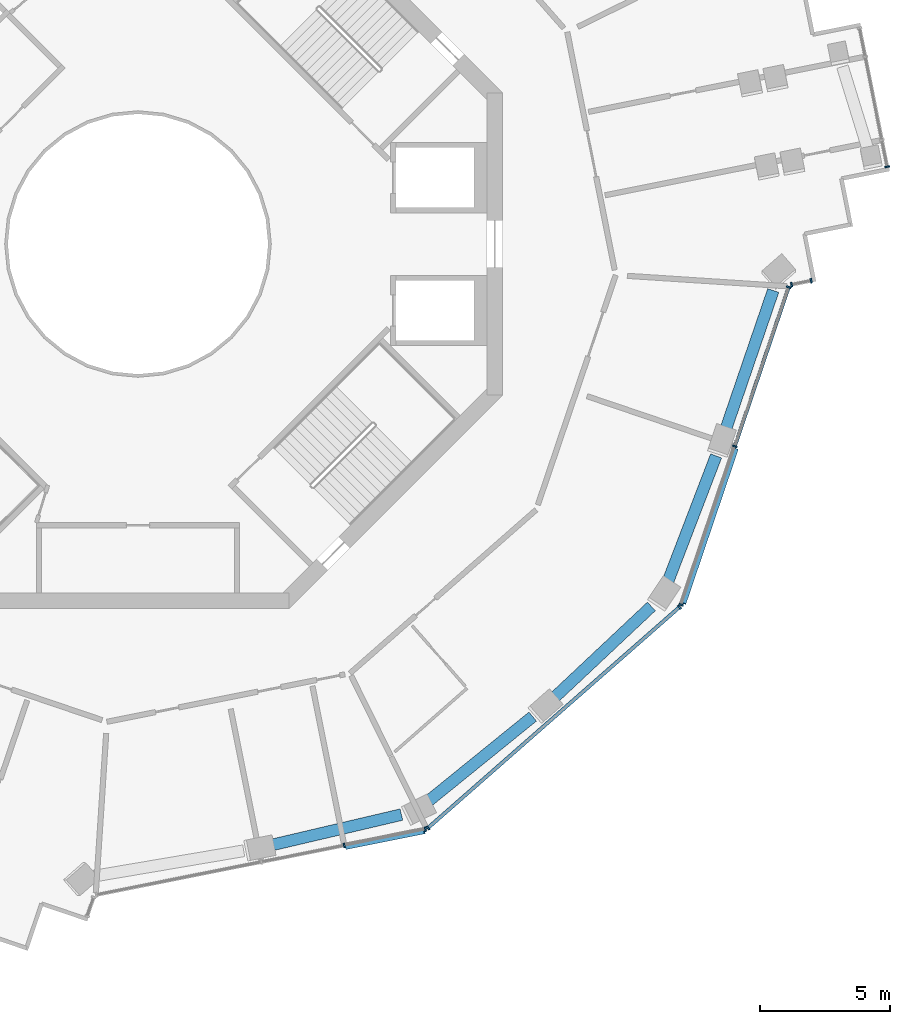
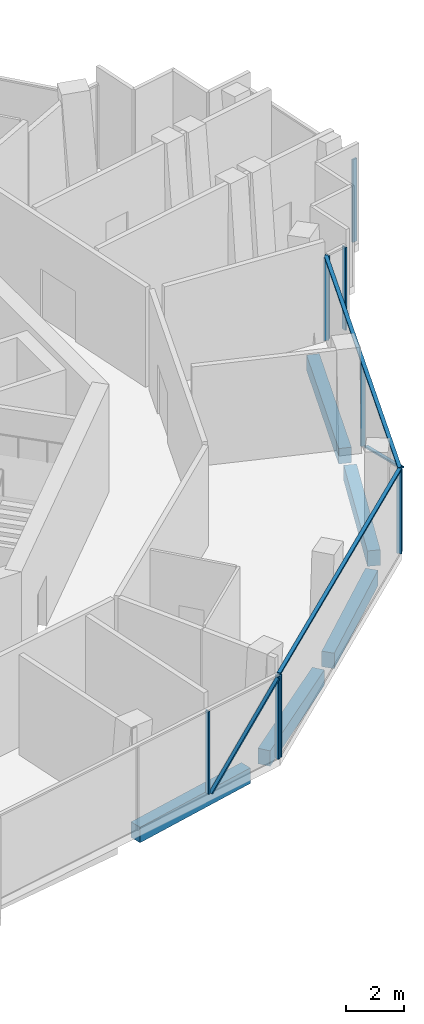
# One storey, part 4 of 17: 14 members, 5 beams, 5 elements without a shape of their own.
"""IFC4 building model written with IfcOpenShell, lengths in metres."""

from ifc_helpers import new_model, si_unit, direction, frame, origin, origin_2d, place, context, subcontext, project, spatial, rectangle, extrude, material, layer, layer_set, material_profile, profile_set, type_object, element, aggregate, save


model = new_model("IFC4")

# Units and contexts
model_context = context("Model", 3, precision=1e-05, world=origin(), true_north=direction((0.0, 1.0)))
body_context = subcontext(model_context, "Body", "Model", "MODEL_VIEW")
ifc_project = project(units=[si_unit("LENGTHUNIT", "METRE"), si_unit("AREAUNIT", "SQUARE_METRE"), si_unit("VOLUMEUNIT", "CUBIC_METRE"), si_unit("PLANEANGLEUNIT", "RADIAN"), si_unit("MASSUNIT", "GRAM", prefix="KILO")], contexts=[model_context])

# Site, building, storey
site_placement = place(None, origin())
site = spatial("IfcSite", under=ifc_project, at=site_placement, CompositionType="ELEMENT")
building_placement = place(site_placement, origin())
building = spatial("IfcBuilding", under=site, at=building_placement, Name="Verdalira Terraces Hotel", CompositionType="ELEMENT")
storey_placement = place(building_placement, frame((0.0, 0.0, 201.0)))
storey = spatial("IfcBuildingStorey", under=building, at=storey_placement, Name="L49", CompositionType="ELEMENT", Elevation=201.0)

# Curtain wall, members
ifc_material_1 = material(Name="Clear glass", Category="glass")
ifc_layer = layer(ifc_material_1, 0.179931640625)
ifc_layer_set = layer_set([ifc_layer], Name="CW4 curtain wall")
curtain_wall_type = type_object("IfcCurtainWallType", Name="CW4 curtain wall", PredefinedType="NOTDEFINED", material=ifc_layer_set)
curtain_wall_1_placement = place(storey_placement, origin())
curtain_wall_1 = element("IfcCurtainWall", 1, at=curtain_wall_1_placement, inside=storey, type_object=curtain_wall_type, Name="CW4 curtain wall L49 edge 25", PredefinedType="NOTDEFINED")
ifc_material_2 = material(Name="Terracotta frame", Category="masonry")
ifc_material_profile_1 = material_profile(ifc_material_2, rectangle(XDim=0.064941, YDim=0.179932, at=origin_2d()), Name="MU 65x180")
ifc_profile_set_1 = profile_set([ifc_material_profile_1], Name="Terracotta frame")
member_type_1 = type_object("IfcMemberType", Name="CW4 mullion 65x180", PredefinedType="MULLION", material=ifc_profile_set_1)
member_1_placement = place(storey_placement, frame((7.92041, -23.095215, 0.0), z_axis=(0.0, 0.0, 1.0), x_axis=(0.980682997, 0.195603833, 0.0)))
member_1 = element("IfcMember", 2, at=member_1_placement, type_object=member_type_1, Name="CW4 mullion", PredefinedType="MULLION", context=body_context, shape_type="SweptSolid", body=[
    extrude(rectangle(XDim=0.064941, YDim=0.179932, at=origin_2d()), origin(), (0.0, 0.0, 1.0), 3.469971),
])
member_2_placement = place(storey_placement, frame((11.036377, -22.473633, 0.0), z_axis=(0.0, 0.0, 1.0), x_axis=(0.980682997, 0.195603833, 0.0)))
member_2 = element("IfcMember", 3, at=member_2_placement, type_object=member_type_1, Name="CW4 mullion", PredefinedType="MULLION", context=body_context, shape_type="SweptSolid", body=[
    extrude(rectangle(XDim=0.064941, YDim=0.179932, at=origin_2d()), origin(), (0.0, 0.0, 1.0), 3.469971),
])

curtain_wall_2_placement = place(storey_placement, origin())
curtain_wall_2 = element("IfcCurtainWall", 4, at=curtain_wall_2_placement, inside=storey, type_object=curtain_wall_type, Name="CW4 curtain wall L49 edge 26", PredefinedType="NOTDEFINED")
member_3_placement = place(storey_placement, frame((11.134521, -22.425293, 0.0), z_axis=(0.0, 0.0, 1.0), x_axis=(0.751494472, 0.659739387, 0.0)))
member_3 = element("IfcMember", 5, at=member_3_placement, type_object=member_type_1, Name="CW4 mullion", PredefinedType="MULLION", context=body_context, shape_type="SweptSolid", body=[
    extrude(rectangle(XDim=0.064941, YDim=0.179932, at=origin_2d()), origin(), (0.0, 0.0, 1.0), 3.469971),
])
member_4_placement = place(storey_placement, frame((20.794678, -13.94458, 0.0), z_axis=(0.0, 0.0, 1.0), x_axis=(0.751494472, 0.659739387, 0.0)))
member_4 = element("IfcMember", 6, at=member_4_placement, type_object=member_type_1, Name="CW4 mullion", PredefinedType="MULLION", context=body_context, shape_type="SweptSolid", body=[
    extrude(rectangle(XDim=0.064941, YDim=0.179932, at=origin_2d()), origin(), (0.0, 0.0, 1.0), 3.469971),
])

curtain_wall_3_placement = place(storey_placement, origin())
curtain_wall_3 = element("IfcCurtainWall", 7, at=curtain_wall_3_placement, inside=storey, type_object=curtain_wall_type, Name="CW4 curtain wall L49 edge 27", PredefinedType="NOTDEFINED")
member_5_placement = place(storey_placement, frame((20.855469, -13.853516, 0.0), z_axis=(0.0, 0.0, 1.0), x_axis=(0.32094361, 0.947098305, 0.0)))
member_5 = element("IfcMember", 8, at=member_5_placement, type_object=member_type_1, Name="CW4 mullion", PredefinedType="MULLION", context=body_context, shape_type="SweptSolid", body=[
    extrude(rectangle(XDim=0.064941, YDim=0.179932, at=origin_2d()), origin(), (0.0, 0.0, 1.0), 3.469971),
])
member_6_placement = place(storey_placement, frame((22.918213, -7.766357, 0.0), z_axis=(0.0, 0.0, 1.0), x_axis=(0.32094361, 0.947098305, 0.0)))
member_6 = element("IfcMember", 9, at=member_6_placement, type_object=member_type_1, Name="CW4 mullion", PredefinedType="MULLION", context=body_context, shape_type="SweptSolid", body=[
    extrude(rectangle(XDim=0.064941, YDim=0.179932, at=origin_2d()), origin(), (0.0, 0.0, 1.0), 3.469971),
])
member_7_placement = place(storey_placement, frame((24.988281, -1.657227, 0.0), z_axis=(0.0, 0.0, 1.0), x_axis=(0.32094361, 0.947098305, 0.0)))
member_7 = element("IfcMember", 10, at=member_7_placement, type_object=member_type_1, Name="CW4 mullion", PredefinedType="MULLION", context=body_context, shape_type="SweptSolid", body=[
    extrude(rectangle(XDim=0.064941, YDim=0.179932, at=origin_2d()), origin(), (0.0, 0.0, 1.0), 3.469971),
])

curtain_wall_4_placement = place(storey_placement, origin())
curtain_wall_4 = element("IfcCurtainWall", 11, at=curtain_wall_4_placement, inside=storey, type_object=curtain_wall_type, Name="CW4 curtain wall L49 edge 28", PredefinedType="NOTDEFINED")
member_8_placement = place(storey_placement, frame((25.098389, -1.560791, 0.0), z_axis=(0.0, 0.0, 1.0), x_axis=(0.980682997, 0.195603833, 0.0)))
member_8 = element("IfcMember", 12, at=member_8_placement, type_object=member_type_1, Name="CW4 mullion", PredefinedType="MULLION", context=body_context, shape_type="SweptSolid", body=[
    extrude(rectangle(XDim=0.064941, YDim=0.179932, at=origin_2d()), origin(), (0.0, 0.0, 1.0), 3.469971),
])
member_9_placement = place(storey_placement, frame((25.851074, -1.410645, 0.0), z_axis=(0.0, 0.0, 1.0), x_axis=(0.980682997, 0.195603833, 0.0)))
member_9 = element("IfcMember", 13, at=member_9_placement, type_object=member_type_1, Name="CW4 mullion", PredefinedType="MULLION", context=body_context, shape_type="SweptSolid", body=[
    extrude(rectangle(XDim=0.064941, YDim=0.179932, at=origin_2d()), origin(), (0.0, 0.0, 1.0), 3.469971),
])
aggregate(curtain_wall_4, [member_8, member_9])

# Curtain wall, member
curtain_wall_5_placement = place(storey_placement, origin())
curtain_wall_5 = element("IfcCurtainWall", 14, at=curtain_wall_5_placement, inside=storey, type_object=curtain_wall_type, Name="CW4 curtain wall L49 edge 33", PredefinedType="NOTDEFINED")
member_10_placement = place(storey_placement, frame((28.773682, 2.968018, 0.0), z_axis=(0.0, 0.0, 1.0), x_axis=(-0.195603833, 0.980682997, 0.0)))
member_10 = element("IfcMember", 15, at=member_10_placement, type_object=member_type_1, Name="CW4 mullion", PredefinedType="MULLION", context=body_context, shape_type="SweptSolid", body=[
    extrude(rectangle(XDim=0.064941, YDim=0.179932, at=origin_2d()), origin(), (0.0, 0.0, 1.0), 3.469971),
])
aggregate(curtain_wall_5, [member_10])

# Member
ifc_material_3 = material(Name="Terracotta frame", Category="masonry")
ifc_material_profile_2 = material_profile(ifc_material_3, rectangle(XDim=0.139893, YDim=0.070068, at=origin_2d()), Name="TR 70x140")
ifc_profile_set_2 = profile_set([ifc_material_profile_2], Name="Terracotta frame")
member_type_2 = type_object("IfcMemberType", Name="CW4 transom 70x140", PredefinedType="USERDEFINED", material=ifc_profile_set_2)
member_11_placement = place(storey_placement, frame((11.110107, -22.446777, 3.504883), z_axis=(0.751489353, 0.659745217, 0.0), x_axis=(-0.659745217, 0.751489353, 0.0)))
member_11 = element("IfcMember", 16, at=member_11_placement, type_object=member_type_2, Name="CW4 transom", ObjectType="TRANSOM", PredefinedType="USERDEFINED", context=body_context, shape_type="SweptSolid", body=[
    extrude(rectangle(XDim=0.139893, YDim=0.070068, at=origin_2d()), origin(), (0.0, 0.0, 1.0), 12.919678),
])

aggregate(curtain_wall_2, [member_3, member_4, member_11])

member_12_placement = place(storey_placement, frame((20.844971, -13.884277, 3.504883), z_axis=(0.320943499, 0.947098343, 0.0), x_axis=(-0.947098343, 0.320943499, 0.0)))
member_12 = element("IfcMember", 17, at=member_12_placement, type_object=member_type_2, Name="CW4 transom", ObjectType="TRANSOM", PredefinedType="USERDEFINED", context=body_context, shape_type="SweptSolid", body=[
    extrude(rectangle(XDim=0.139893, YDim=0.070068, at=origin_2d()), origin(), (0.0, 0.0, 1.0), 12.942383),
])

ifc_material_4 = material(Name="Terracotta frame", Category="masonry")
ifc_material_profile_3 = material_profile(ifc_material_4, rectangle(XDim=0.149902, YDim=0.060059, at=origin_2d()), Name="GB 60x150")
ifc_profile_set_3 = profile_set([ifc_material_profile_3], Name="Terracotta frame")
member_type_3 = type_object("IfcMemberType", Name="Diagonal glazing bar 60x150", PredefinedType="USERDEFINED", material=ifc_profile_set_3)
member_13_placement = place(storey_placement, frame((7.993896, -23.175293, 0.026367), z_axis=(0.654781372, 0.13057333, 0.744454136), x_axis=(-0.195564614, 0.980690819, 0.0)))
member_13 = element("IfcMember", 18, at=member_13_placement, type_object=member_type_3, Name="Diagonal glazing bar", ObjectType="GLAZING BAR", PredefinedType="USERDEFINED", context=body_context, shape_type="SweptSolid", body=[
    extrude(rectangle(XDim=0.149902, YDim=0.060059, at=origin_2d()), origin(), (0.0, 0.0, 1.0), 4.590332),
])

aggregate(curtain_wall_1, [member_1, member_2, member_13])

member_14_placement = place(storey_placement, frame((20.969971, -13.805176, 3.442627), z_axis=(0.281757948, 0.8314803, -0.478803685), x_axis=(-0.94710043, 0.320937338, 0.0)))
member_14 = element("IfcMember", 19, at=member_14_placement, type_object=member_type_3, Name="Diagonal glazing bar", ObjectType="GLAZING BAR", PredefinedType="USERDEFINED", context=body_context, shape_type="SweptSolid", body=[
    extrude(rectangle(XDim=0.149902, YDim=0.060059, at=origin_2d()), origin(), (0.0, 0.0, 1.0), 7.133057),
])

aggregate(curtain_wall_3, [member_5, member_6, member_7, member_12, member_14])

# Beams
ifc_material_5 = material(Name="Concrete C50", Category="concrete")
ifc_material_profile_4 = material_profile(ifc_material_5, rectangle(XDim=0.449951, YDim=0.649902, at=origin_2d()), Name="RC 450X650")
ifc_profile_set_4 = profile_set([ifc_material_profile_4], Name="Concrete C50")
beam_type = type_object("IfcBeamType", Name="Spandrel beam RC 450X650 C50", PredefinedType="SPANDREL", material=ifc_profile_set_4)
beam_1_placement = place(storey_placement, frame((5.062744, -23.096191, -0.63501), z_axis=(0.973565659, 0.228407329, 0.0), x_axis=(-0.228407329, 0.973565659, 0.0)))
element("IfcBeam", 20, at=beam_1_placement, inside=storey, type_object=beam_type, Name="Spandrel beam B12", PredefinedType="SPANDREL", context=body_context, shape_type="SweptSolid", body=[
    extrude(rectangle(XDim=0.449951, YDim=0.649902, at=origin_2d()), origin(), (0.0, 0.0, 1.0), 5.189453),
])
beam_2_placement = place(storey_placement, frame((11.123779, -21.414551, -0.63501), z_axis=(0.777046629, 0.629443036, 0.0), x_axis=(-0.629443036, 0.777046629, 0.0)))
element("IfcBeam", 21, at=beam_2_placement, inside=storey, type_object=beam_type, Name="Spandrel beam B13", PredefinedType="SPANDREL", context=body_context, shape_type="SweptSolid", body=[
    extrude(rectangle(XDim=0.449951, YDim=0.649902, at=origin_2d()), origin(), (0.0, 0.0, 1.0), 5.191895),
])
beam_3_placement = place(storey_placement, frame((15.932617, -17.470459, -0.63501), z_axis=(0.728895737, 0.684624718, 0.0), x_axis=(-0.684624718, 0.728895737, 0.0)))
element("IfcBeam", 22, at=beam_3_placement, inside=storey, type_object=beam_type, Name="Spandrel beam B14", PredefinedType="SPANDREL", context=body_context, shape_type="SweptSolid", body=[
    extrude(rectangle(XDim=0.449951, YDim=0.649902, at=origin_2d()), origin(), (0.0, 0.0, 1.0), 5.189209),
])
beam_4_placement = place(storey_placement, frame((20.34082, -12.983643, -0.63501), z_axis=(0.358219567, 0.933637372, 0.0), x_axis=(-0.933637372, 0.358219567, 0.0)))
element("IfcBeam", 23, at=beam_4_placement, inside=storey, type_object=beam_type, Name="Spandrel beam B15", PredefinedType="SPANDREL", context=body_context, shape_type="SweptSolid", body=[
    extrude(rectangle(XDim=0.449951, YDim=0.649902, at=origin_2d()), origin(), (0.0, 0.0, 1.0), 5.191895),
])
beam_5_placement = place(storey_placement, frame((22.546875, -7.182617, -0.63501), z_axis=(0.323828784, 0.9461157, 0.0), x_axis=(-0.9461157, 0.323828784, 0.0)))
element("IfcBeam", 24, at=beam_5_placement, inside=storey, type_object=beam_type, Name="Spandrel beam B16", PredefinedType="SPANDREL", context=body_context, shape_type="SweptSolid", body=[
    extrude(rectangle(XDim=0.449951, YDim=0.649902, at=origin_2d()), origin(), (0.0, 0.0, 1.0), 5.706299),
])

save(model, "model.ifc")
